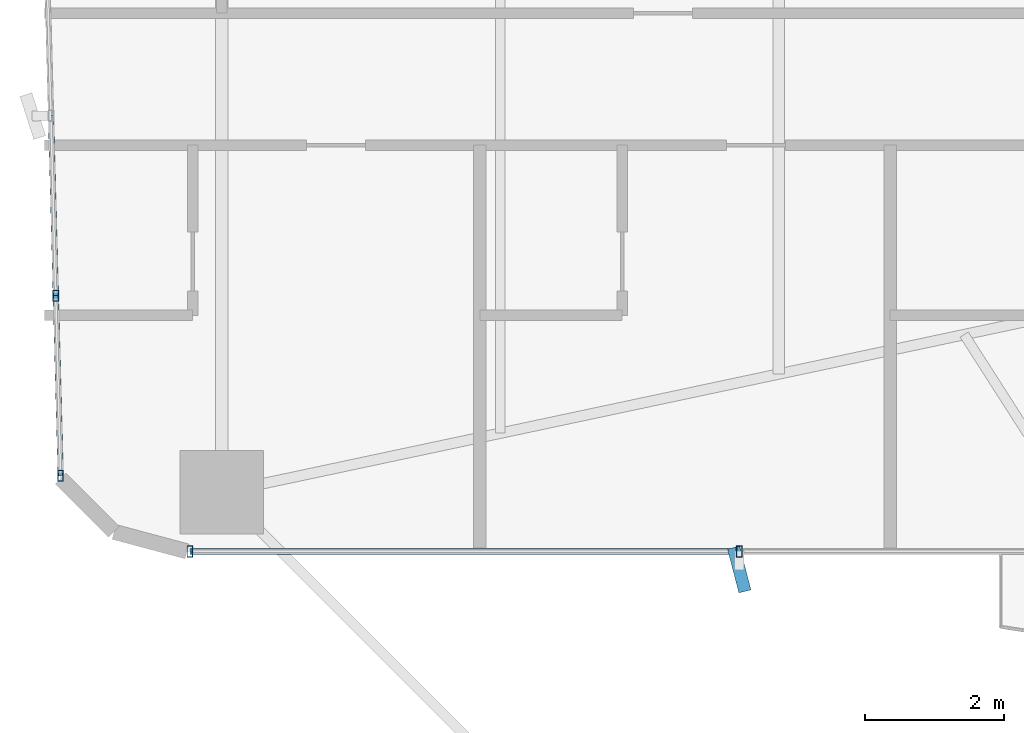
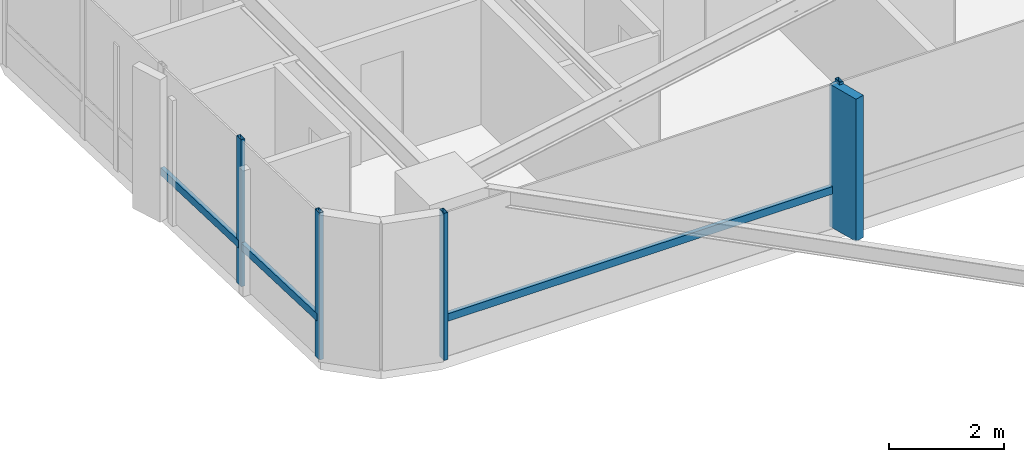
# One storey, part 6 of 25: 8 members, 2 elements without a shape of their own.
"""IFC4 building model written with IfcOpenShell, lengths in metres."""

from ifc_helpers import new_model, si_unit, direction, frame, origin, origin_2d, place, context, subcontext, project, spatial, rectangle, hollow_rectangle, extrude, source, transform, mapped, material, material_profile, profile_set, type_object, element, aggregate, save


model = new_model("IFC4")

# Units and contexts
model_context = context("Model", 3, precision=1e-05, world=origin(), true_north=direction((0.0, 1.0)))
body_context = subcontext(model_context, "Body", "Model", "MODEL_VIEW")
ifc_project = project(units=[si_unit("LENGTHUNIT", "METRE"), si_unit("AREAUNIT", "SQUARE_METRE"), si_unit("VOLUMEUNIT", "CUBIC_METRE"), si_unit("PLANEANGLEUNIT", "RADIAN"), si_unit("MASSUNIT", "GRAM", prefix="KILO")], contexts=[model_context])

# Site, building, storey
site_placement = place(None, origin())
site = spatial("IfcSite", under=ifc_project, at=site_placement, CompositionType="ELEMENT")
building_placement = place(site_placement, origin())
building = spatial("IfcBuilding", under=site, at=building_placement, Name="Sahyath Konkavel Grand Hotel", CompositionType="ELEMENT")
storey_placement = place(building_placement, frame((0.0, 0.0, 57.75)))
storey = spatial("IfcBuildingStorey", under=building, at=storey_placement, Name="L15", CompositionType="ELEMENT", Elevation=57.75)

# Curtain wall, members
ifc_material_1 = material(Name="Anodised Bronze Aluminium & Low-E Glazing", Category="aluminium")
curtain_wall_type = type_object("IfcCurtainWallType", Name="CW-ZONE1", PredefinedType="NOTDEFINED", material=ifc_material_1)
curtain_wall_1_placement = place(storey_placement, origin())
curtain_wall_1 = element("IfcCurtainWall", 1, at=curtain_wall_1_placement, inside=storey, type_object=curtain_wall_type, Name="L15 Unitised Curtain Wall F23", PredefinedType="NOTDEFINED")
ifc_material_2 = material(Name="Warm Buff Sandstone Cladding on Concrete C50/60", Category="masonry")
ifc_material_profile_1 = material_profile(ifc_material_2, rectangle(XDim=0.179931640625, YDim=0.64990234375, at=origin_2d()), Name="FIN 180x650")
ifc_profile_set_1 = profile_set([ifc_material_profile_1], Name="Warm Buff Sandstone Cladding on Concrete C50/60")
member_type_1 = type_object("IfcMemberType", Name="FIN-SANDSTONE-650", PredefinedType="MULLION", material=ifc_profile_set_1)
shared_shape_1 = source(origin(), body_context, "Body", "SweptSolid", [
    extrude(rectangle(XDim=0.179931640625, YDim=0.64990234375, at=origin_2d()), origin(), (0.0, 0.0, 1.0), 3.010009765625),
])
member_1_placement = place(storey_placement, frame((-14.75, -7.06005859375, 0.050048828125), z_axis=(0.0, 0.0, 1.0), x_axis=(0.967884912253, 0.251393708421, 0.0)))
member_1 = element("IfcMember", 2, at=member_1_placement, type_object=member_type_1, Name="L15 Sandstone Vertical Solar Fin FIN F23-1", PredefinedType="MULLION", context=body_context, shape_type="MappedRepresentation", body=[
    mapped(shared_shape_1, transform((0.0, 0.0, 0.0), scale=1.0)),
])
ifc_material_3 = material(Name="Anodised Bronze Aluminium", Category="aluminium")
ifc_material_profile_2 = material_profile(ifc_material_3, hollow_rectangle(XDim=0.080078125, YDim=0.159912109375, WallThickness=0.006103515625, at=origin_2d()), Name="RHS 160x80x6")
ifc_profile_set_2 = profile_set([ifc_material_profile_2], Name="Anodised Bronze Aluminium")
member_type_2 = type_object("IfcMemberType", Name="CW-TRN-160", PredefinedType="USERDEFINED", material=ifc_profile_set_2)
shared_shape_2 = source(origin(), body_context, "Body", "SweptSolid", [
    extrude(hollow_rectangle(XDim=0.080078125, YDim=0.159912109375, WallThickness=0.006103515625, at=origin_2d()), origin(), (0.0, 0.0, 1.0), 7.909912109375),
])
member_2_placement = place(storey_placement, frame((-22.659912109375, -6.800048828125, 0.85009765625), z_axis=(1.0, 0.0, 0.0), x_axis=(0.0, 1.0, 0.0)))
member_2 = element("IfcMember", 3, at=member_2_placement, type_object=member_type_2, Name="L15 Curtain Wall Transom F23-0-spandrel", ObjectType="TRANSOM", PredefinedType="USERDEFINED", context=body_context, shape_type="MappedRepresentation", body=[
    mapped(shared_shape_2, transform((0.0, 0.0, 0.0), scale=1.0)),
])

curtain_wall_2_placement = place(storey_placement, origin())
curtain_wall_2 = element("IfcCurtainWall", 4, at=curtain_wall_2_placement, inside=storey, type_object=curtain_wall_type, Name="L15 Unitised Curtain Wall F20", PredefinedType="NOTDEFINED")
shared_shape_3 = source(origin(), body_context, "Body", "SweptSolid", [
    extrude(hollow_rectangle(XDim=0.080078125, YDim=0.159912109375, WallThickness=0.006103515625, at=origin_2d()), origin(), (0.0, 0.0, 1.0), 2.593505859375),
])
member_3_placement = place(storey_placement, frame((-24.6591796875, -0.52490234375, 0.85009765625), z_axis=(0.02682902444, -0.999640036937, 0.0), x_axis=(0.999640036937, 0.02682902444, 0.0)))
member_3 = element("IfcMember", 5, at=member_3_placement, type_object=member_type_2, Name="L15 Curtain Wall Transom F20-2-spandrel", ObjectType="TRANSOM", PredefinedType="USERDEFINED", context=body_context, shape_type="MappedRepresentation", body=[
    mapped(shared_shape_3, transform((0.0, 0.0, 0.0), scale=1.0)),
])
member_4_placement = place(storey_placement, frame((-24.589599609375, -3.117431640625, 0.85009765625), z_axis=(0.026923093252, -0.999637507825, 0.0), x_axis=(0.999637507825, 0.026923093252, 0.0)))
member_4 = element("IfcMember", 6, at=member_4_placement, type_object=member_type_2, Name="L15 Curtain Wall Transom F20-3-spandrel", ObjectType="TRANSOM", PredefinedType="USERDEFINED", context=body_context, shape_type="MappedRepresentation", body=[
    mapped(shared_shape_3, transform((0.0, 0.0, 0.0), scale=1.0)),
])
ifc_material_profile_3 = material_profile(ifc_material_3, hollow_rectangle(XDim=0.080078125, YDim=0.159912109375, WallThickness=0.006103515625, at=origin_2d()), Name="RHS 160x80x6")
ifc_profile_set_3 = profile_set([ifc_material_profile_3], Name="Anodised Bronze Aluminium")
member_type_3 = type_object("IfcMemberType", Name="CW-MUL-160", PredefinedType="MULLION", material=ifc_profile_set_3)
shared_shape_4 = source(origin(), body_context, "Body", "SweptSolid", [
    extrude(hollow_rectangle(XDim=0.080078125, YDim=0.159912109375, WallThickness=0.006103515625, at=origin_2d()), origin(), (0.0, 0.0, 1.0), 3.110107421875),
])
member_5_placement = place(storey_placement, frame((-24.589599609375, -3.117431640625, 0.0), z_axis=(0.0, 0.0, 1.0), x_axis=(1.0, 0.0, 0.0)))
member_5 = element("IfcMember", 7, at=member_5_placement, type_object=member_type_3, Name="L15 Curtain Wall Mullion F20-3", PredefinedType="MULLION", context=body_context, shape_type="MappedRepresentation", body=[
    mapped(shared_shape_4, transform((0.0, 0.0, 0.0), scale=1.0)),
])
member_6_placement = place(storey_placement, frame((-24.519775390625, -5.7099609375, 0.0), z_axis=(0.0, 0.0, 1.0), x_axis=(1.0, 0.0, 0.0)))
member_6 = element("IfcMember", 8, at=member_6_placement, type_object=member_type_3, Name="L15 Curtain Wall Mullion F20-4", PredefinedType="MULLION", context=body_context, shape_type="MappedRepresentation", body=[
    mapped(shared_shape_4, transform((0.0, 0.0, 0.0), scale=1.0)),
])
aggregate(curtain_wall_2, [member_5, member_6, member_3, member_4])

# Member
member_7_placement = place(storey_placement, frame((-22.659912109375, -6.800048828125, 0.0), z_axis=(0.0, 0.0, 1.0), x_axis=(1.0, 0.0, 0.0)))
member_7 = element("IfcMember", 9, at=member_7_placement, type_object=member_type_3, Name="L15 Curtain Wall Mullion F23-0", PredefinedType="MULLION", context=body_context, shape_type="MappedRepresentation", body=[
    mapped(shared_shape_4, transform((0.0, 0.0, 0.0), scale=1.0)),
])

member_8_placement = place(storey_placement, frame((-14.75, -6.800048828125, 0.0), z_axis=(0.0, 0.0, 1.0), x_axis=(1.0, 0.0, 0.0)))
member_8 = element("IfcMember", 10, at=member_8_placement, type_object=member_type_3, Name="L15 Curtain Wall Mullion F23-1", PredefinedType="MULLION", context=body_context, shape_type="MappedRepresentation", body=[
    mapped(shared_shape_4, transform((0.0, 0.0, 0.0), scale=1.0)),
])

aggregate(curtain_wall_1, [member_7, member_8, member_1, member_2])

save(model, "model.ifc")
